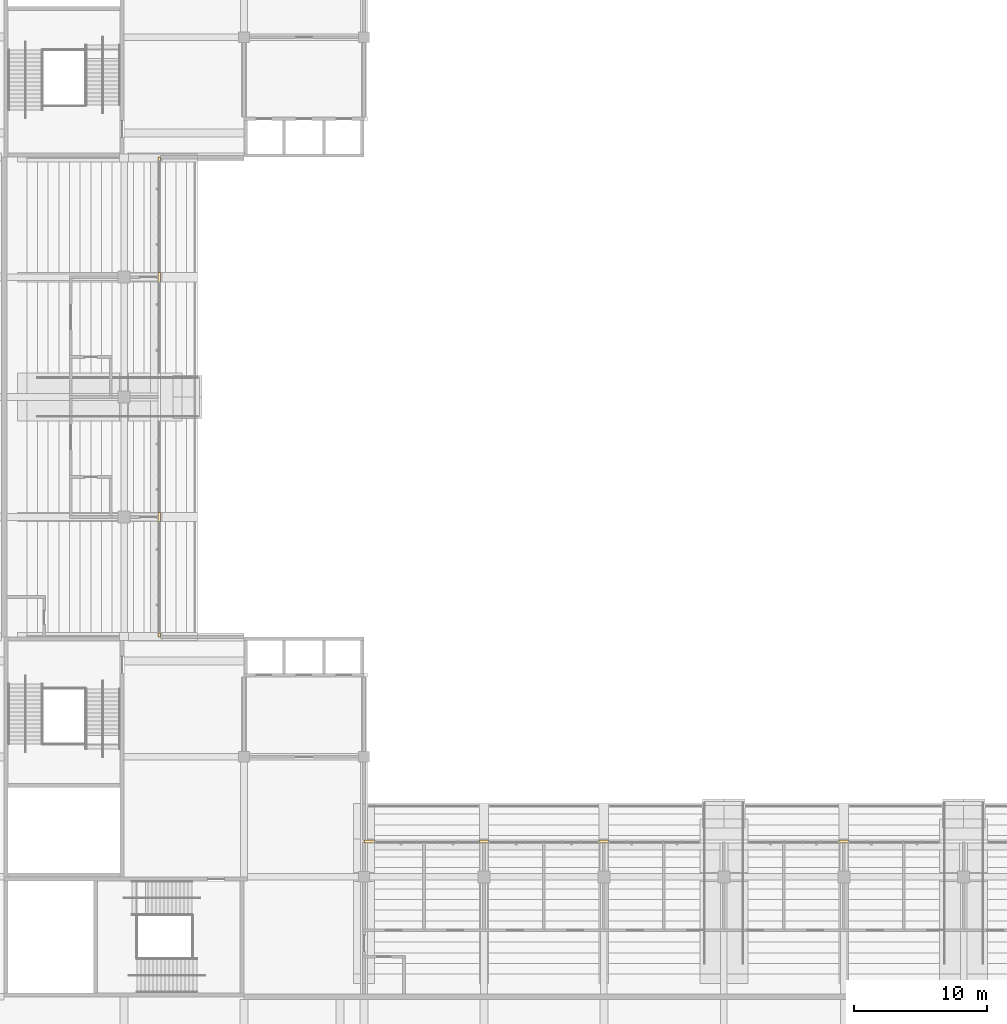
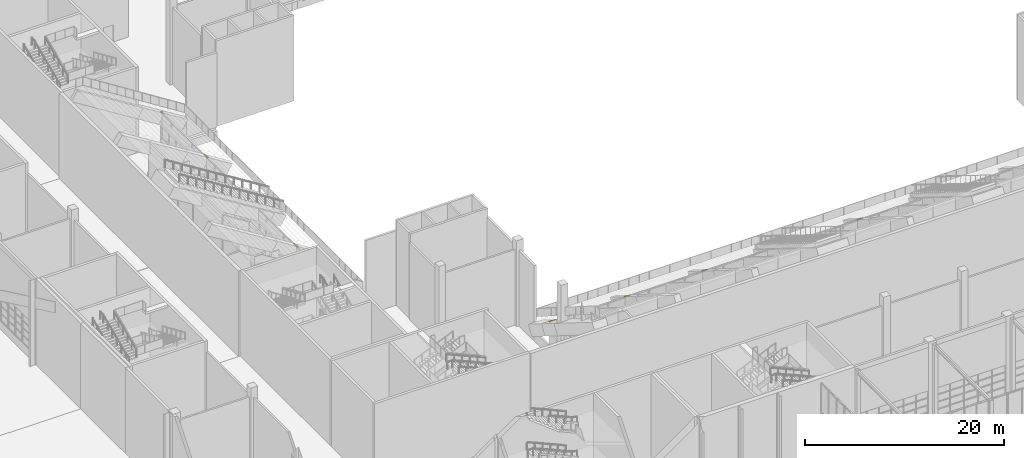
# One storey, part 180 of 182: 8 coverings.
"""IFC4 building model written with IfcOpenShell, lengths in metres."""

from ifc_helpers import new_model, si_unit, direction, frame, origin, place, context, subcontext, project, spatial, faceted_brep, material, layer, layer_set, type_object, element, save


model = new_model("IFC4")

# Units and contexts
model_context = context("Model", 3, precision=1e-05, world=origin(), true_north=direction((0.0, 1.0)))
body_context = subcontext(model_context, "Body", "Model", "MODEL_VIEW")
ifc_project = project(units=[si_unit("LENGTHUNIT", "METRE"), si_unit("AREAUNIT", "SQUARE_METRE"), si_unit("VOLUMEUNIT", "CUBIC_METRE"), si_unit("PLANEANGLEUNIT", "RADIAN"), si_unit("MASSUNIT", "GRAM", prefix="KILO")], contexts=[model_context])

# Site, building, storey
site_placement = place(None, origin())
site = spatial("IfcSite", under=ifc_project, at=site_placement, CompositionType="ELEMENT")
building_placement = place(site_placement, origin())
building = spatial("IfcBuilding", under=site, at=building_placement, Name="Silverbay Arena", CompositionType="ELEMENT")
storey_placement = place(building_placement, frame((0.0, 0.0, 11.5)))
storey = spatial("IfcBuildingStorey", under=building, at=storey_placement, Name="L02", CompositionType="ELEMENT", Elevation=11.5)

# Coverings
ifc_material = material(Name="Mineral wool fire-stop packing")
ifc_layer = layer(ifc_material, 0.199951171875)
ifc_layer_set = layer_set([ifc_layer], Name="Mineral wool fire-stop packing")
covering_type = type_object("IfcCoveringType", Name="Fire-stop packing", PredefinedType="CLADDING", material=ifc_layer_set)
covering_1_placement = place(storey_placement, origin())
element("IfcCovering", 1, at=covering_1_placement, inside=storey, type_object=covering_type, Name="Suite front fire-stop packing", PredefinedType="CLADDING", context=body_context, shape_type="Brep", body=[
    faceted_brep([(99.0, 47.75, 4.033935546875), (99.800048828125, 47.75, 4.033935546875), (99.800048828125, 47.550048828125, 4.033935546875), (99.0, 47.550048828125, 4.033935546875), (99.0, 47.550048828125, 4.1640625), (99.800048828125, 47.550048828125, 4.1640625), (99.800048828125, 47.75, 4.0390625), (99.0, 47.75, 4.0390625)], [[[0, 1, 2, 3]], [[4, 5, 6, 7]], [[3, 2, 5, 4]], [[2, 1, 6, 5]], [[1, 0, 7, 6]], [[0, 3, 4, 7]]]),
])
covering_2_placement = place(storey_placement, origin())
element("IfcCovering", 2, at=covering_2_placement, inside=storey, type_object=covering_type, Name="Suite front fire-stop packing", PredefinedType="CLADDING", context=body_context, shape_type="Brep", body=[
    faceted_brep([(107.64990234375, 47.75, 4.033935546875), (108.35009765625, 47.75, 4.033935546875), (108.35009765625, 47.550048828125, 4.033935546875), (107.64990234375, 47.550048828125, 4.033935546875), (107.64990234375, 47.550048828125, 4.1640625), (108.35009765625, 47.550048828125, 4.1640625), (108.35009765625, 47.75, 4.0390625), (107.64990234375, 47.75, 4.0390625)], [[[0, 1, 2, 3]], [[4, 5, 6, 7]], [[3, 2, 5, 4]], [[2, 1, 6, 5]], [[1, 0, 7, 6]], [[0, 3, 4, 7]]]),
])
covering_3_placement = place(storey_placement, origin())
element("IfcCovering", 3, at=covering_3_placement, inside=storey, type_object=covering_type, Name="Suite front fire-stop packing", PredefinedType="CLADDING", context=body_context, shape_type="Brep", body=[
    faceted_brep([(116.64990234375, 47.75, 4.033935546875), (117.35009765625, 47.75, 4.033935546875), (117.35009765625, 47.550048828125, 4.033935546875), (116.64990234375, 47.550048828125, 4.033935546875), (116.64990234375, 47.550048828125, 4.1640625), (117.35009765625, 47.550048828125, 4.1640625), (117.35009765625, 47.75, 4.0390625), (116.64990234375, 47.75, 4.0390625)], [[[0, 1, 2, 3]], [[4, 5, 6, 7]], [[3, 2, 5, 4]], [[2, 1, 6, 5]], [[1, 0, 7, 6]], [[0, 3, 4, 7]]]),
])
covering_4_placement = place(storey_placement, origin())
element("IfcCovering", 4, at=covering_4_placement, inside=storey, type_object=covering_type, Name="Suite front fire-stop packing", PredefinedType="CLADDING", context=body_context, shape_type="Brep", body=[
    faceted_brep([(134.64990234375, 47.75, 4.033935546875), (135.35009765625, 47.75, 4.033935546875), (135.35009765625, 47.550048828125, 4.033935546875), (134.64990234375, 47.550048828125, 4.033935546875), (134.64990234375, 47.550048828125, 4.1640625), (135.35009765625, 47.550048828125, 4.1640625), (135.35009765625, 47.75, 4.0390625), (134.64990234375, 47.75, 4.0390625)], [[[0, 1, 2, 3]], [[4, 5, 6, 7]], [[3, 2, 5, 4]], [[2, 1, 6, 5]], [[1, 0, 7, 6]], [[0, 3, 4, 7]]]),
])
covering_5_placement = place(storey_placement, origin())
element("IfcCovering", 5, at=covering_5_placement, inside=storey, type_object=covering_type, Name="Suite front fire-stop packing", PredefinedType="CLADDING", context=body_context, shape_type="Brep", body=[
    faceted_brep([(83.550048828125, 63.0, 4.033935546875), (83.550048828125, 63.300048828125, 4.033935546875), (83.75, 63.300048828125, 4.033935546875), (83.75, 63.0, 4.033935546875), (83.75, 63.0, 4.0390625), (83.75, 63.300048828125, 4.0390625), (83.550048828125, 63.300048828125, 4.1640625), (83.550048828125, 63.0, 4.1640625)], [[[0, 1, 2, 3]], [[4, 5, 6, 7]], [[3, 2, 5, 4]], [[2, 1, 6, 5]], [[1, 0, 7, 6]], [[0, 3, 4, 7]]]),
])
covering_6_placement = place(storey_placement, origin())
element("IfcCovering", 6, at=covering_6_placement, inside=storey, type_object=covering_type, Name="Suite front fire-stop packing", PredefinedType="CLADDING", context=body_context, shape_type="Brep", body=[
    faceted_brep([(83.550048828125, 71.64990234375, 4.033935546875), (83.550048828125, 72.35009765625, 4.033935546875), (83.75, 72.35009765625, 4.033935546875), (83.75, 71.64990234375, 4.033935546875), (83.75, 71.64990234375, 4.0390625), (83.75, 72.35009765625, 4.0390625), (83.550048828125, 72.35009765625, 4.1640625), (83.550048828125, 71.64990234375, 4.1640625)], [[[0, 1, 2, 3]], [[4, 5, 6, 7]], [[3, 2, 5, 4]], [[2, 1, 6, 5]], [[1, 0, 7, 6]], [[0, 3, 4, 7]]]),
])
covering_7_placement = place(storey_placement, origin())
element("IfcCovering", 7, at=covering_7_placement, inside=storey, type_object=covering_type, Name="Suite front fire-stop packing", PredefinedType="CLADDING", context=body_context, shape_type="Brep", body=[
    faceted_brep([(83.550048828125, 89.64990234375, 4.033935546875), (83.550048828125, 90.35009765625, 4.033935546875), (83.75, 90.35009765625, 4.033935546875), (83.75, 89.64990234375, 4.033935546875), (83.75, 89.64990234375, 4.0390625), (83.75, 90.35009765625, 4.0390625), (83.550048828125, 90.35009765625, 4.1640625), (83.550048828125, 89.64990234375, 4.1640625)], [[[0, 1, 2, 3]], [[4, 5, 6, 7]], [[3, 2, 5, 4]], [[2, 1, 6, 5]], [[1, 0, 7, 6]], [[0, 3, 4, 7]]]),
])
covering_8_placement = place(storey_placement, origin())
element("IfcCovering", 8, at=covering_8_placement, inside=storey, type_object=covering_type, Name="Suite front fire-stop packing", PredefinedType="CLADDING", context=body_context, shape_type="Brep", body=[
    faceted_brep([(83.550048828125, 98.699951171875, 4.033935546875), (83.550048828125, 99.0, 4.033935546875), (83.75, 99.0, 4.033935546875), (83.75, 98.699951171875, 4.033935546875), (83.75, 98.699951171875, 4.0390625), (83.75, 99.0, 4.0390625), (83.550048828125, 99.0, 4.1640625), (83.550048828125, 98.699951171875, 4.1640625)], [[[0, 1, 2, 3]], [[4, 5, 6, 7]], [[3, 2, 5, 4]], [[2, 1, 6, 5]], [[1, 0, 7, 6]], [[0, 3, 4, 7]]]),
])

save(model, "model.ifc")
